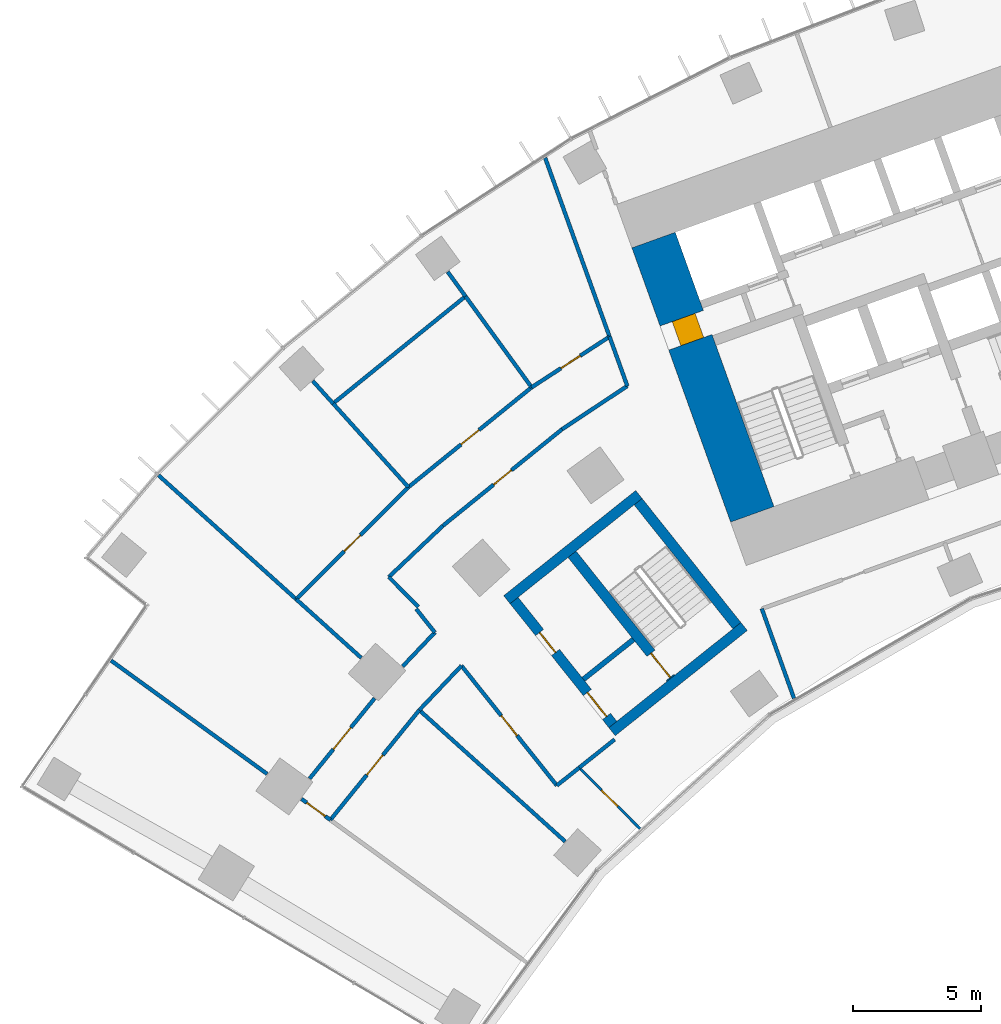
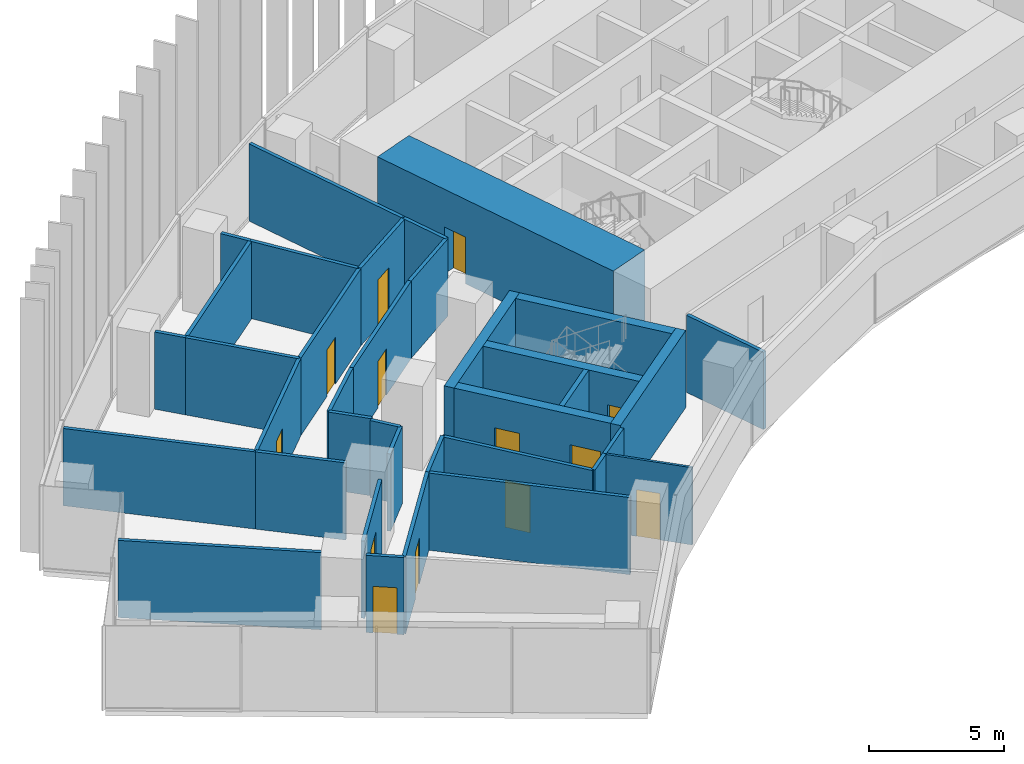
# One storey, part 18 of 25: 36 walls, 13 doors, 13 openings.
"""IFC4 building model written with IfcOpenShell, lengths in metres."""

from ifc_helpers import new_model, si_unit, direction, frame, frame_2d, origin, place, context, subcontext, project, spatial, rectangle, extrude, material, layer, layer_set, type_object, element, fill, save


model = new_model("IFC4")

# Units and contexts
model_context = context("Model", 3, precision=1e-05, world=origin(), true_north=direction((0.0, 1.0)))
body_context = subcontext(model_context, "Body", "Model", "MODEL_VIEW")
ifc_project = project(units=[si_unit("LENGTHUNIT", "METRE"), si_unit("AREAUNIT", "SQUARE_METRE"), si_unit("VOLUMEUNIT", "CUBIC_METRE"), si_unit("PLANEANGLEUNIT", "RADIAN"), si_unit("MASSUNIT", "GRAM", prefix="KILO")], contexts=[model_context])

# Site, building, storey
site_placement = place(None, origin())
site = spatial("IfcSite", under=ifc_project, at=site_placement, CompositionType="ELEMENT")
building_placement = place(site_placement, origin())
building = spatial("IfcBuilding", under=site, at=building_placement, Name="Stone Belt Terrace Tower", CompositionType="ELEMENT")
storey_placement = place(building_placement, frame((0.0, 0.0, 52.800048828125)))
storey = spatial("IfcBuildingStorey", under=building, at=storey_placement, Name="L12", CompositionType="ELEMENT", Elevation=52.800048828125)

# Wall, opening, door
ifc_material_1 = material(Name="Concrete B80", Category="concrete")
ifc_layer_1 = layer(ifc_material_1, 1.800048828125)
ifc_layer_set_1 = layer_set([ifc_layer_1], Name="Core wall 1800 B80")
wall_type_1 = type_object("IfcWallType", Name="Core wall 1800 B80", PredefinedType="SHEAR", material=ifc_layer_set_1)
wall_1_placement = place(storey_placement, frame((-26.197509765625, 42.96728515625, 0.0), z_axis=(0.0, 0.0, 1.0), x_axis=(-0.338625431531, 0.940921259788, 0.0)))
wall_1 = element("IfcWall", 1, at=wall_1_placement, inside=storey, type_object=wall_type_1, Name="Core A wall end_a L12", PredefinedType="SHEAR", context=body_context, shape_type="SweptSolid", body=[
    extrude(rectangle(XDim=11.400146484375, YDim=1.800048828125, at=frame_2d((5.7001953125, 0.0))), origin(), (0.0, 0.0, 1.0), 3.800048828125),
])
opening_1_placement = place(wall_1_placement, frame((7.150146484375, 0.0, 0.0)))
opening_1 = element("IfcOpeningElement", 2, at=opening_1_placement, cuts=wall_1, Name="Opening L12-C01", PredefinedType="OPENING", context=body_context, shape_type="SweptSolid", body=[
    extrude(rectangle(XDim=1.0, YDim=2.10009765625, at=frame_2d((0.5, 1.050048828125))), frame((0.0, 0.909912109375, 0.0), z_axis=(0.0, -1.0, 0.0), x_axis=(1.0, 0.0, 0.0)), (0.0, 0.0, 1.0), 1.820068359375),
])
ifc_material_2 = material(Name="Timber door leaf", Category="wood")
door_type_1 = type_object("IfcDoorType", Name="Core room door 1000", OperationType="SINGLE_SWING_LEFT", PredefinedType="DOOR", material=ifc_material_2)
door_1_placement = place(opening_1_placement, origin())
door_1 = element("IfcDoor", 3, at=door_1_placement, inside=storey, type_object=door_type_1, Name="Door to Telecommunications riser room core A", OperationType="SINGLE_SWING_LEFT", OverallHeight=2.10009765625, OverallWidth=1.0, PredefinedType="DOOR", context=body_context, shape_type="SweptSolid", body=[
    extrude(rectangle(XDim=1.0, YDim=2.10009765625, at=frame_2d((0.5, 1.050048828125))), frame((0.0, 0.39501953125, 0.0), z_axis=(0.0, -1.0, 0.0), x_axis=(1.0, 0.0, 0.0)), (0.0, 0.0, 1.0), 0.949951171875),
])
fill(opening_1, door_1)

ifc_material_3 = material(Name="Gypsum board partition")
ifc_layer_2 = layer(ifc_material_3, 0.10009765625)
ifc_layer_set_2 = layer_set([ifc_layer_2], Name="PARTITION 100")
wall_type_2 = type_object("IfcWallType", Name="PARTITION 100", PredefinedType="PARTITIONING", material=ifc_layer_set_2)
wall_2_placement = place(storey_placement, frame((-32.968017578125, 33.06005859375, 0.0), z_axis=(0.0, 0.0, 1.0), x_axis=(0.706309715327, -0.707902949587, 0.0)))
wall_2 = element("IfcWall", 4, at=wall_2_placement, inside=storey, type_object=wall_type_2, Name="L12/wall/i049", PredefinedType="PARTITIONING", context=body_context, shape_type="SweptSolid", body=[
    extrude(rectangle(XDim=3.37109375, YDim=0.10009765625, at=frame_2d((1.685546875, 0.0))), origin(), (0.0, 0.0, 1.0), 3.47998046875),
])
opening_2_placement = place(wall_2_placement, frame((1.235595703125, 0.0, 0.0)))
opening_2 = element("IfcOpeningElement", 5, at=opening_2_placement, cuts=wall_2, Name="Opening D-A3b-13", PredefinedType="OPENING", context=body_context, shape_type="SweptSolid", body=[
    extrude(rectangle(XDim=0.89990234375, YDim=2.10009765625, at=frame_2d((0.449951171875, 1.050048828125))), frame((0.0, 0.06005859375, 0.0), z_axis=(0.0, -1.0, 0.0), x_axis=(1.0, 0.0, 0.0)), (0.0, 0.0, 1.0), 0.1201171875),
])
door_type_2 = type_object("IfcDoorType", Name="OFFICE DOOR 900 X 2100", OperationType="NOTDEFINED", PredefinedType="DOOR", material=ifc_material_2)
door_2_placement = place(opening_2_placement, origin())
door_2 = element("IfcDoor", 6, at=door_2_placement, inside=storey, type_object=door_type_2, Name="L12/door/i13", OperationType="SINGLE_SWING_RIGHT", OverallHeight=2.10009765625, OverallWidth=0.89990234375, PredefinedType="DOOR", context=body_context, shape_type="SweptSolid", body=[
    extrude(rectangle(XDim=0.89990234375, YDim=2.10009765625, at=frame_2d((0.449951171875, 1.050048828125))), frame((0.0, 0.02490234375, 0.0), z_axis=(0.0, -1.0, 0.0), x_axis=(1.0, 0.0, 0.0)), (0.0, 0.0, 1.0), 0.050048828125),
])
fill(opening_2, door_2)

# Walls
ifc_layer_3 = layer(ifc_material_3, 0.14990234375)
ifc_layer_set_3 = layer_set([ifc_layer_3], Name="PARTITION 150 EI 60")
wall_type_3 = type_object("IfcWallType", Name="PARTITION 150 EI 60", PredefinedType="PARTITIONING", material=ifc_layer_set_3)
wall_3_placement = place(storey_placement, frame((-25.826904296875, 39.281005859375, 0.0), z_axis=(0.0, 0.0, 1.0), x_axis=(0.338392582605, -0.941005026574, 0.0)))
element("IfcWall", 7, at=wall_3_placement, inside=storey, type_object=wall_type_3, Name="L12/wall/i001", PredefinedType="PARTITIONING", context=body_context, shape_type="SweptSolid", body=[
    extrude(rectangle(XDim=3.729248046875, YDim=0.14990234375, at=frame_2d((1.86474609375, 0.0))), origin(), (0.0, 0.0, 1.0), 3.47998046875),
])
wall_4_placement = place(storey_placement, frame((-31.0830078125, 47.98193359375, 0.0), z_axis=(0.0, 0.0, 1.0), x_axis=(-0.338937449327, 0.940808910164, 0.0)))
element("IfcWall", 8, at=wall_4_placement, inside=storey, type_object=wall_type_3, Name="L12/wall/i004", PredefinedType="PARTITIONING", context=body_context, shape_type="SweptSolid", body=[
    extrude(rectangle(XDim=2.062255859375, YDim=0.14990234375, at=frame_2d((1.03125, 0.0))), origin(), (0.0, 0.0, 1.0), 3.47998046875),
])
wall_5_placement = place(storey_placement, frame((-31.778076171875, 49.909912109375, 0.0), z_axis=(0.0, 0.0, 1.0), x_axis=(-0.338711334353, 0.94089034004, 0.0)))
element("IfcWall", 9, at=wall_5_placement, inside=storey, type_object=wall_type_3, Name="L12/wall/i005", PredefinedType="PARTITIONING", context=body_context, shape_type="SweptSolid", body=[
    extrude(rectangle(XDim=7.43994140625, YDim=0.14990234375, at=frame_2d((3.719970703125, 0.0))), origin(), (0.0, 0.0, 1.0), 3.47998046875),
])

# Wall, opening, door
wall_6_placement = place(storey_placement, frame((-42.69091796875, 31.01611328125, 0.0), z_axis=(0.0, 0.0, 1.0), x_axis=(-0.809165251575, 0.587581139626, 0.0)))
wall_6 = element("IfcWall", 10, at=wall_6_placement, inside=storey, type_object=wall_type_3, Name="L12/wall/i034", PredefinedType="PARTITIONING", context=body_context, shape_type="SweptSolid", body=[
    extrude(rectangle(XDim=1.4013671875, YDim=0.14990234375, at=frame_2d((0.70068359375, 0.0))), origin(), (0.0, 0.0, 1.0), 3.47998046875),
])
opening_3_placement = place(wall_6_placement, frame((0.250732421875, 0.0, 0.0)))
opening_3 = element("IfcOpeningElement", 11, at=opening_3_placement, cuts=wall_6, Name="Opening D-A3b-11", PredefinedType="OPENING", context=body_context, shape_type="SweptSolid", body=[
    extrude(rectangle(XDim=0.89990234375, YDim=2.10009765625, at=frame_2d((0.449951171875, 1.050048828125))), frame((0.0, 0.0849609375, 0.0), z_axis=(0.0, -1.0, 0.0), x_axis=(1.0, 0.0, 0.0)), (0.0, 0.0, 1.0), 0.169921875),
])
ifc_material_4 = material(Name="Timber fire door leaf", Category="wood")
door_type_3 = type_object("IfcDoorType", Name="TENANCY ENTRANCE DOOR 900 X 2100", OperationType="NOTDEFINED", PredefinedType="DOOR", material=ifc_material_4)
door_3_placement = place(opening_3_placement, origin())
door_3 = element("IfcDoor", 12, at=door_3_placement, inside=storey, type_object=door_type_3, Name="L12/door/i11", OperationType="SINGLE_SWING_RIGHT", OverallHeight=2.10009765625, OverallWidth=0.89990234375, PredefinedType="DOOR", context=body_context, shape_type="SweptSolid", body=[
    extrude(rectangle(XDim=0.89990234375, YDim=2.10009765625, at=frame_2d((0.449951171875, 1.050048828125))), frame((0.0, 0.02490234375, 0.0), z_axis=(0.0, -1.0, 0.0), x_axis=(1.0, 0.0, 0.0)), (0.0, 0.0, 1.0), 0.050048828125),
])
fill(opening_3, door_3)

# Walls
wall_7_placement = place(storey_placement, frame((-51.27294921875, 37.251708984375, 0.0), z_axis=(0.0, 0.0, 1.0), x_axis=(0.808996210437, -0.587813857865, 0.0)))
element("IfcWall", 13, at=wall_7_placement, inside=storey, type_object=wall_type_3, Name="L12/wall/i036", PredefinedType="PARTITIONING", context=body_context, shape_type="SweptSolid", body=[
    extrude(rectangle(XDim=7.546630859375, YDim=0.14990234375, at=frame_2d((3.7734375, 0.0))), origin(), (0.0, 0.0, 1.0), 3.47998046875),
])
wall_8_placement = place(storey_placement, frame((-39.25, 39.35107421875, 0.0), z_axis=(0.0, 0.0, 1.0), x_axis=(-0.706216032574, 0.707996409126, 0.0)))
element("IfcWall", 14, at=wall_8_placement, inside=storey, type_object=wall_type_3, Name="L12/wall/i037", PredefinedType="PARTITIONING", context=body_context, shape_type="SweptSolid", body=[
    extrude(rectangle(XDim=1.6455078125, YDim=0.14990234375, at=frame_2d((0.82275390625, 0.0))), origin(), (0.0, 0.0, 1.0), 3.47998046875),
])
wall_9_placement = place(storey_placement, frame((-40.412109375, 40.51611328125, 0.0), z_axis=(0.0, 0.0, 1.0), x_axis=(0.725899989111, 0.687800265926, 0.0)))
element("IfcWall", 15, at=wall_9_placement, inside=storey, type_object=wall_type_3, Name="L12/wall/i038", PredefinedType="PARTITIONING", context=body_context, shape_type="SweptSolid", body=[
    extrude(rectangle(XDim=2.922119140625, YDim=0.14990234375, at=frame_2d((1.4609375, 0.0))), origin(), (0.0, 0.0, 1.0), 3.47998046875),
])

# Wall, opening, door
wall_10_placement = place(storey_placement, frame((-38.2900390625, 42.527099609375, 0.0), z_axis=(0.0, 0.0, 1.0), x_axis=(0.77714422733, 0.629322532513, 0.0)))
wall_10 = element("IfcWall", 16, at=wall_10_placement, inside=storey, type_object=wall_type_3, Name="L12/wall/i039", PredefinedType="PARTITIONING", context=body_context, shape_type="SweptSolid", body=[
    extrude(rectangle(XDim=5.98876953125, YDim=0.14990234375, at=frame_2d((2.994384765625, 0.0))), origin(), (0.0, 0.0, 1.0), 3.47998046875),
])
opening_4_placement = place(wall_10_placement, frame((2.54443359375, 0.0, 0.0)))
opening_4 = element("IfcOpeningElement", 17, at=opening_4_placement, cuts=wall_10, Name="Opening D-A3b-15", PredefinedType="OPENING", context=body_context, shape_type="SweptSolid", body=[
    extrude(rectangle(XDim=0.89990234375, YDim=2.10009765625, at=frame_2d((0.449951171875, 1.050048828125))), frame((0.0, 0.0849609375, 0.0), z_axis=(0.0, -1.0, 0.0), x_axis=(1.0, 0.0, 0.0)), (0.0, 0.0, 1.0), 0.169921875),
])
door_4_placement = place(opening_4_placement, origin())
door_4 = element("IfcDoor", 18, at=door_4_placement, inside=storey, type_object=door_type_2, Name="L12/door/i15", OperationType="SINGLE_SWING_RIGHT", OverallHeight=2.10009765625, OverallWidth=0.89990234375, PredefinedType="DOOR", context=body_context, shape_type="SweptSolid", body=[
    extrude(rectangle(XDim=0.89990234375, YDim=2.10009765625, at=frame_2d((0.449951171875, 1.050048828125))), frame((0.0, 0.02490234375, 0.0), z_axis=(0.0, -1.0, 0.0), x_axis=(1.0, 0.0, 0.0)), (0.0, 0.0, 1.0), 0.050048828125),
])
fill(opening_4, door_4)

# Walls
wall_11_placement = place(storey_placement, frame((-33.635986328125, 46.2958984375, 0.0), z_axis=(0.0, 0.0, 1.0), x_axis=(0.833385857539, 0.552691607005, 0.0)))
element("IfcWall", 19, at=wall_11_placement, inside=storey, type_object=wall_type_3, Name="L12/wall/i040", PredefinedType="PARTITIONING", context=body_context, shape_type="SweptSolid", body=[
    extrude(rectangle(XDim=3.059814453125, YDim=0.14990234375, at=frame_2d((1.52978515625, 0.0))), origin(), (0.0, 0.0, 1.0), 3.47998046875),
])
wall_12_placement = place(storey_placement, frame((-37.56689453125, 37.052001953125, 0.0), z_axis=(0.0, 0.0, 1.0), x_axis=(-0.688757486719, -0.724991809946, 0.0)))
element("IfcWall", 20, at=wall_12_placement, inside=storey, type_object=wall_type_3, Name="L12/wall/i041", PredefinedType="PARTITIONING", context=body_context, shape_type="SweptSolid", body=[
    extrude(rectangle(XDim=2.398681640625, YDim=0.14990234375, at=frame_2d((1.19921875, 0.0))), origin(), (0.0, 0.0, 1.0), 3.47998046875),
])

# Wall, opening, door
wall_13_placement = place(storey_placement, frame((-39.218994140625, 35.31298828125, 0.0), z_axis=(0.0, 0.0, 1.0), x_axis=(-0.629393988906, -0.777086357318, 0.0)))
wall_13 = element("IfcWall", 21, at=wall_13_placement, inside=storey, type_object=wall_type_3, Name="L12/wall/i042", PredefinedType="PARTITIONING", context=body_context, shape_type="SweptSolid", body=[
    extrude(rectangle(XDim=5.5244140625, YDim=0.14990234375, at=frame_2d((2.76220703125, 0.0))), origin(), (0.0, 0.0, 1.0), 3.47998046875),
])
opening_5_placement = place(wall_13_placement, frame((2.26220703125, 0.0, 0.0)))
opening_5 = element("IfcOpeningElement", 22, at=opening_5_placement, cuts=wall_13, Name="Opening D-A3b-14", PredefinedType="OPENING", context=body_context, shape_type="SweptSolid", body=[
    extrude(rectangle(XDim=1.0, YDim=2.10009765625, at=frame_2d((0.5, 1.050048828125))), frame((0.0, 0.0849609375, 0.0), z_axis=(0.0, -1.0, 0.0), x_axis=(1.0, 0.0, 0.0)), (0.0, 0.0, 1.0), 0.169921875),
])
door_type_4 = type_object("IfcDoorType", Name="TENANCY ENTRANCE DOOR 1000 X 2100", OperationType="NOTDEFINED", PredefinedType="DOOR", material=ifc_material_4)
door_5_placement = place(opening_5_placement, origin())
door_5 = element("IfcDoor", 23, at=door_5_placement, inside=storey, type_object=door_type_4, Name="L12/door/i14", OperationType="SINGLE_SWING_RIGHT", OverallHeight=2.10009765625, OverallWidth=1.0, PredefinedType="DOOR", context=body_context, shape_type="SweptSolid", body=[
    extrude(rectangle(XDim=1.0, YDim=2.10009765625, at=frame_2d((0.5, 1.050048828125))), frame((0.0, 0.02490234375, 0.0), z_axis=(0.0, -1.0, 0.0), x_axis=(1.0, 0.0, 0.0)), (0.0, 0.0, 1.0), 0.050048828125),
])
fill(opening_5, door_5)

# Wall
wall_14_placement = place(storey_placement, frame((-39.873779296875, 37.019287109375, 0.0), z_axis=(0.0, 0.0, 1.0), x_axis=(0.688718115667, 0.72502921124, 0.0)))
element("IfcWall", 24, at=wall_14_placement, inside=storey, type_object=wall_type_3, Name="L12/wall/i043", PredefinedType="PARTITIONING", context=body_context, shape_type="SweptSolid", body=[
    extrude(rectangle(XDim=1.84228515625, YDim=0.14990234375, at=frame_2d((0.921142578125, 0.0))), origin(), (0.0, 0.0, 1.0), 3.47998046875),
])

# Wall, opening, door
wall_15_placement = place(storey_placement, frame((-43.5078125, 32.63623046875, 0.0), z_axis=(0.0, 0.0, 1.0), x_axis=(0.629347927528, 0.777123662049, 0.0)))
wall_15 = element("IfcWall", 25, at=wall_15_placement, inside=storey, type_object=wall_type_3, Name="L12/wall/i044", PredefinedType="PARTITIONING", context=body_context, shape_type="SweptSolid", body=[
    extrude(rectangle(XDim=4.034423828125, YDim=0.14990234375, at=frame_2d((2.01708984375, 0.0))), origin(), (0.0, 0.0, 1.0), 3.47998046875),
])
opening_6_placement = place(wall_15_placement, frame((1.46728515625, 0.0, 0.0)))
opening_6 = element("IfcOpeningElement", 26, at=opening_6_placement, cuts=wall_15, Name="Opening D-A3b-19", PredefinedType="OPENING", context=body_context, shape_type="SweptSolid", body=[
    extrude(rectangle(XDim=1.10009765625, YDim=2.10009765625, at=frame_2d((0.550048828125, 1.050048828125))), frame((0.0, 0.0849609375, 0.0), z_axis=(0.0, -1.0, 0.0), x_axis=(1.0, 0.0, 0.0)), (0.0, 0.0, 1.0), 0.169921875),
])
ifc_material_5 = material(Name="Steel fire door set", Category="steel")
door_type_5 = type_object("IfcDoorType", Name="SERVICE ROOM DOOR 1100 X 2100", OperationType="NOTDEFINED", PredefinedType="DOOR", material=ifc_material_5)
door_6_placement = place(opening_6_placement, origin())
door_6 = element("IfcDoor", 27, at=door_6_placement, inside=storey, type_object=door_type_5, Name="L12/door/i19", OperationType="SINGLE_SWING_RIGHT", OverallHeight=2.10009765625, OverallWidth=1.10009765625, PredefinedType="DOOR", context=body_context, shape_type="SweptSolid", body=[
    extrude(rectangle(XDim=1.10009765625, YDim=2.10009765625, at=frame_2d((0.550048828125, 1.050048828125))), frame((0.0, 0.02490234375, 0.0), z_axis=(0.0, -1.0, 0.0), x_axis=(1.0, 0.0, 0.0)), (0.0, 0.0, 1.0), 0.050048828125),
])
fill(opening_6, door_6)

# Wall
wall_16_placement = place(storey_placement, frame((-32.962890625, 33.06298828125, 0.0), z_axis=(0.0, 0.0, 1.0), x_axis=(-0.782502176307, -0.622647849169, 0.0)))
element("IfcWall", 28, at=wall_16_placement, inside=storey, type_object=wall_type_3, Name="L12/wall/i045", PredefinedType="PARTITIONING", context=body_context, shape_type="SweptSolid", body=[
    extrude(rectangle(XDim=1.12109375, YDim=0.14990234375, at=frame_2d((0.560546875, 0.0))), origin(), (0.0, 0.0, 1.0), 3.47998046875),
])

# Wall, opening, door
wall_17_placement = place(storey_placement, frame((-33.840087890625, 32.364990234375, 0.0), z_axis=(0.0, 0.0, 1.0), x_axis=(-0.623112520353, 0.782132205563, 0.0)))
wall_17 = element("IfcWall", 29, at=wall_17_placement, inside=storey, type_object=wall_type_3, Name="L12/wall/i046", PredefinedType="PARTITIONING", context=body_context, shape_type="SweptSolid", body=[
    extrude(rectangle(XDim=5.987548828125, YDim=0.14990234375, at=frame_2d((2.99365234375, 0.0))), origin(), (0.0, 0.0, 1.0), 3.47998046875),
])
opening_7_placement = place(wall_17_placement, frame((2.493896484375, 0.0, 0.0)))
opening_7 = element("IfcOpeningElement", 30, at=opening_7_placement, cuts=wall_17, Name="Opening D-A3b-12", PredefinedType="OPENING", context=body_context, shape_type="SweptSolid", body=[
    extrude(rectangle(XDim=1.0, YDim=2.10009765625, at=frame_2d((0.5, 1.050048828125))), frame((0.0, 0.0849609375, 0.0), z_axis=(0.0, -1.0, 0.0), x_axis=(1.0, 0.0, 0.0)), (0.0, 0.0, 1.0), 0.169921875),
])
door_7_placement = place(opening_7_placement, origin())
door_7 = element("IfcDoor", 31, at=door_7_placement, inside=storey, type_object=door_type_4, Name="L12/door/i12", OperationType="SINGLE_SWING_RIGHT", OverallHeight=2.10009765625, OverallWidth=1.0, PredefinedType="DOOR", context=body_context, shape_type="SweptSolid", body=[
    extrude(rectangle(XDim=1.0, YDim=2.10009765625, at=frame_2d((0.5, 1.050048828125))), frame((0.0, 0.02490234375, 0.0), z_axis=(0.0, -1.0, 0.0), x_axis=(1.0, 0.0, 0.0)), (0.0, 0.0, 1.0), 0.050048828125),
])
fill(opening_7, door_7)

# Walls
wall_18_placement = place(storey_placement, frame((-31.5810546875, 34.1650390625, 0.0), z_axis=(0.0, 0.0, 1.0), x_axis=(-0.781845256464, -0.623472529422, 0.0)))
element("IfcWall", 32, at=wall_18_placement, inside=storey, type_object=wall_type_3, Name="L12/wall/i047", PredefinedType="PARTITIONING", context=body_context, shape_type="SweptSolid", body=[
    extrude(rectangle(XDim=1.779052734375, YDim=0.14990234375, at=frame_2d((0.8896484375, 0.0))), origin(), (0.0, 0.0, 1.0), 3.47998046875),
])
wall_19_placement = place(storey_placement, frame((-38.60888671875, 38.35009765625, 0.0), z_axis=(0.0, 0.0, 1.0), x_axis=(-0.623044650104, 0.782186271917, 0.0)))
element("IfcWall", 33, at=wall_19_placement, inside=storey, type_object=wall_type_3, Name="L12/wall/i048", PredefinedType="PARTITIONING", context=body_context, shape_type="SweptSolid", body=[
    extrude(rectangle(XDim=1.173583984375, YDim=0.14990234375, at=frame_2d((0.5869140625, 0.0))), origin(), (0.0, 0.0, 1.0), 3.47998046875),
])
wall_20_placement = place(storey_placement, frame((-33.515869140625, 30.177734375, 0.0), z_axis=(0.0, 0.0, 1.0), x_axis=(-0.743135942629, 0.669140471629, 0.0)))
element("IfcWall", 34, at=wall_20_placement, inside=storey, type_object=wall_type_3, Name="L12/wall/i050", PredefinedType="PARTITIONING", context=body_context, shape_type="SweptSolid", body=[
    extrude(rectangle(XDim=7.67431640625, YDim=0.14990234375, at=frame_2d((3.837158203125, 0.0))), origin(), (0.0, 0.0, 1.0), 3.47998046875),
])

# Wall, opening, door
wall_21_placement = place(storey_placement, frame((-44.030029296875, 39.64599609375, 0.0), z_axis=(0.0, 0.0, 1.0), x_axis=(0.707106781187, 0.707106781187, 0.0)))
wall_21 = element("IfcWall", 35, at=wall_21_placement, inside=storey, type_object=wall_type_3, Name="L12/wall/i051", PredefinedType="PARTITIONING", context=body_context, shape_type="SweptSolid", body=[
    extrude(rectangle(XDim=6.201416015625, YDim=0.14990234375, at=frame_2d((3.1005859375, 0.0))), origin(), (0.0, 0.0, 1.0), 3.47998046875),
])
opening_8_placement = place(wall_21_placement, frame((2.650634765625, 0.0, 0.0)))
opening_8 = element("IfcOpeningElement", 36, at=opening_8_placement, cuts=wall_21, Name="Opening D-A3b-16", PredefinedType="OPENING", context=body_context, shape_type="SweptSolid", body=[
    extrude(rectangle(XDim=0.89990234375, YDim=2.10009765625, at=frame_2d((0.449951171875, 1.050048828125))), frame((0.0, 0.0849609375, 0.0), z_axis=(0.0, -1.0, 0.0), x_axis=(1.0, 0.0, 0.0)), (0.0, 0.0, 1.0), 0.169921875),
])
door_8_placement = place(opening_8_placement, origin())
door_8 = element("IfcDoor", 37, at=door_8_placement, inside=storey, type_object=door_type_2, Name="L12/door/i16", OperationType="SINGLE_SWING_RIGHT", OverallHeight=2.10009765625, OverallWidth=0.89990234375, PredefinedType="DOOR", context=body_context, shape_type="SweptSolid", body=[
    extrude(rectangle(XDim=0.89990234375, YDim=2.10009765625, at=frame_2d((0.449951171875, 1.050048828125))), frame((0.0, 0.02490234375, 0.0), z_axis=(0.0, -1.0, 0.0), x_axis=(1.0, 0.0, 0.0)), (0.0, 0.0, 1.0), 0.050048828125),
])
fill(opening_8, door_8)

wall_22_placement = place(storey_placement, frame((-39.64404296875, 44.031982421875, 0.0), z_axis=(0.0, 0.0, 1.0), x_axis=(0.777109136124, 0.629365863829, 0.0)))
wall_22 = element("IfcWall", 38, at=wall_22_placement, inside=storey, type_object=wall_type_3, Name="L12/wall/i052", PredefinedType="PARTITIONING", context=body_context, shape_type="SweptSolid", body=[
    extrude(rectangle(XDim=6.199951171875, YDim=0.14990234375, at=frame_2d((3.10009765625, 0.0))), origin(), (0.0, 0.0, 1.0), 3.47998046875),
])
opening_9_placement = place(wall_22_placement, frame((2.64990234375, 0.0, 0.0)))
opening_9 = element("IfcOpeningElement", 39, at=opening_9_placement, cuts=wall_22, Name="Opening D-A3b-17", PredefinedType="OPENING", context=body_context, shape_type="SweptSolid", body=[
    extrude(rectangle(XDim=0.89990234375, YDim=2.10009765625, at=frame_2d((0.449951171875, 1.050048828125))), frame((0.0, 0.0849609375, 0.0), z_axis=(0.0, -1.0, 0.0), x_axis=(1.0, 0.0, 0.0)), (0.0, 0.0, 1.0), 0.169921875),
])
door_9_placement = place(opening_9_placement, origin())
door_9 = element("IfcDoor", 40, at=door_9_placement, inside=storey, type_object=door_type_2, Name="L12/door/i17", OperationType="SINGLE_SWING_RIGHT", OverallHeight=2.10009765625, OverallWidth=0.89990234375, PredefinedType="DOOR", context=body_context, shape_type="SweptSolid", body=[
    extrude(rectangle(XDim=0.89990234375, YDim=2.10009765625, at=frame_2d((0.449951171875, 1.050048828125))), frame((0.0, 0.02490234375, 0.0), z_axis=(0.0, -1.0, 0.0), x_axis=(1.0, 0.0, 0.0)), (0.0, 0.0, 1.0), 0.050048828125),
])
fill(opening_9, door_9)

wall_23_placement = place(storey_placement, frame((-34.825927734375, 47.93408203125, 0.0), z_axis=(0.0, 0.0, 1.0), x_axis=(0.838179507416, 0.545394456653, 0.0)))
wall_23 = element("IfcWall", 41, at=wall_23_placement, inside=storey, type_object=wall_type_3, Name="L12/wall/i053", PredefinedType="PARTITIONING", context=body_context, shape_type="SweptSolid", body=[
    extrude(rectangle(XDim=3.634033203125, YDim=0.14990234375, at=frame_2d((1.81689453125, 0.0))), origin(), (0.0, 0.0, 1.0), 3.47998046875),
])
opening_10_placement = place(wall_23_placement, frame((1.366943359375, 0.0, 0.0)))
opening_10 = element("IfcOpeningElement", 42, at=opening_10_placement, cuts=wall_23, Name="Opening D-A3b-18", PredefinedType="OPENING", context=body_context, shape_type="SweptSolid", body=[
    extrude(rectangle(XDim=0.89990234375, YDim=2.10009765625, at=frame_2d((0.449951171875, 1.050048828125))), frame((0.0, 0.0849609375, 0.0), z_axis=(0.0, -1.0, 0.0), x_axis=(1.0, 0.0, 0.0)), (0.0, 0.0, 1.0), 0.169921875),
])
door_10_placement = place(opening_10_placement, origin())
door_10 = element("IfcDoor", 43, at=door_10_placement, inside=storey, type_object=door_type_2, Name="L12/door/i18", OperationType="SINGLE_SWING_RIGHT", OverallHeight=2.10009765625, OverallWidth=0.89990234375, PredefinedType="DOOR", context=body_context, shape_type="SweptSolid", body=[
    extrude(rectangle(XDim=0.89990234375, YDim=2.10009765625, at=frame_2d((0.449951171875, 1.050048828125))), frame((0.0, 0.02490234375, 0.0), z_axis=(0.0, -1.0, 0.0), x_axis=(1.0, 0.0, 0.0)), (0.0, 0.0, 1.0), 0.050048828125),
])
fill(opening_10, door_10)

# Walls
wall_24_placement = place(storey_placement, frame((-41.489990234375, 37.357421875, 0.0), z_axis=(0.0, 0.0, 1.0), x_axis=(-0.742924764927, 0.669374927569, 0.0)))
element("IfcWall", 44, at=wall_24_placement, inside=storey, type_object=wall_type_3, Name="L12/wall/i054", PredefinedType="PARTITIONING", context=body_context, shape_type="SweptSolid", body=[
    extrude(rectangle(XDim=3.4189453125, YDim=0.14990234375, at=frame_2d((1.70947265625, 0.0))), origin(), (0.0, 0.0, 1.0), 3.47998046875),
])
wall_25_placement = place(storey_placement, frame((-42.593017578125, 47.304931640625, 0.0), z_axis=(0.0, 0.0, 1.0), x_axis=(0.669148410698, -0.743128793992, 0.0)))
element("IfcWall", 45, at=wall_25_placement, inside=storey, type_object=wall_type_3, Name="L12/wall/i055", PredefinedType="PARTITIONING", context=body_context, shape_type="SweptSolid", body=[
    extrude(rectangle(XDim=4.405517578125, YDim=0.14990234375, at=frame_2d((2.20263671875, 0.0))), origin(), (0.0, 0.0, 1.0), 3.47998046875),
])
wall_26_placement = place(storey_placement, frame((-43.382080078125, 48.18115234375, 0.0), z_axis=(0.0, 0.0, 1.0), x_axis=(0.669145878726, -0.743131073892, 0.0)))
element("IfcWall", 46, at=wall_26_placement, inside=storey, type_object=wall_type_3, Name="L12/wall/i056", PredefinedType="PARTITIONING", context=body_context, shape_type="SweptSolid", body=[
    extrude(rectangle(XDim=1.191162109375, YDim=0.14990234375, at=frame_2d((0.595703125, 0.0))), origin(), (0.0, 0.0, 1.0), 3.47998046875),
])
wall_27_placement = place(storey_placement, frame((-44.030029296875, 39.64599609375, 0.0), z_axis=(0.0, 0.0, 1.0), x_axis=(-0.74319367285, 0.669076351874, 0.0)))
element("IfcWall", 47, at=wall_27_placement, inside=storey, type_object=wall_type_3, Name="L12/wall/i057", PredefinedType="PARTITIONING", context=body_context, shape_type="SweptSolid", body=[
    extrude(rectangle(XDim=7.25, YDim=0.14990234375, at=frame_2d((3.625, 0.0))), origin(), (0.0, 0.0, 1.0), 3.47998046875),
])
wall_28_placement = place(storey_placement, frame((-42.589111328125, 47.301025390625, 0.0), z_axis=(0.0, 0.0, 1.0), x_axis=(0.777172317777, 0.629287842312, 0.0)))
element("IfcWall", 48, at=wall_28_placement, inside=storey, type_object=wall_type_3, Name="L12/wall/i058", PredefinedType="PARTITIONING", context=body_context, shape_type="SweptSolid", body=[
    extrude(rectangle(XDim=6.661376953125, YDim=0.14990234375, at=frame_2d((3.33056640625, 0.0))), origin(), (0.0, 0.0, 1.0), 3.47998046875),
])
wall_29_placement = place(storey_placement, frame((-37.412109375, 51.492919921875, 0.0), z_axis=(0.0, 0.0, 1.0), x_axis=(0.58786477972, -0.808959208344, 0.0)))
element("IfcWall", 49, at=wall_29_placement, inside=storey, type_object=wall_type_3, Name="L12/wall/i059", PredefinedType="PARTITIONING", context=body_context, shape_type="SweptSolid", body=[
    extrude(rectangle(XDim=4.399169921875, YDim=0.14990234375, at=frame_2d((2.19970703125, 0.0))), origin(), (0.0, 0.0, 1.0), 3.47998046875),
])
wall_30_placement = place(storey_placement, frame((-38.1083984375, 52.45166015625, 0.0), z_axis=(0.0, 0.0, 1.0), x_axis=(0.587632515929, -0.809127941813, 0.0)))
element("IfcWall", 50, at=wall_30_placement, inside=storey, type_object=wall_type_3, Name="L12/wall/i060", PredefinedType="PARTITIONING", context=body_context, shape_type="SweptSolid", body=[
    extrude(rectangle(XDim=1.184814453125, YDim=0.14990234375, at=frame_2d((0.59228515625, 0.0))), origin(), (0.0, 0.0, 1.0), 3.47998046875),
])
ifc_material_6 = material(Name="Concrete masonry block", Category="masonry")
ifc_layer_4 = layer(ifc_material_6, 0.199951171875)
ifc_layer_set_4 = layer_set([ifc_layer_4], Name="Rated lobby wall 200")
wall_type_4 = type_object("IfcWallType", Name="Rated lobby wall 200", PredefinedType="PARTITIONING", material=ifc_layer_set_4)
wall_31_placement = place(storey_placement, frame((-30.845703125, 38.074951171875, 0.0), z_axis=(0.0, 0.0, 1.0), x_axis=(-0.782115323833, -0.623133709749, 0.0)))
element("IfcWall", 51, at=wall_31_placement, inside=storey, type_object=wall_type_4, Name="Exit stair ST3A wall", PredefinedType="PARTITIONING", context=body_context, shape_type="SweptSolid", body=[
    extrude(rectangle(XDim=2.5, YDim=0.199951171875, at=frame_2d((1.25, 0.0))), origin(), (0.0, 0.0, 1.0), 3.47998046875),
])
ifc_layer_5 = layer(ifc_material_1, 0.39990234375)
ifc_layer_set_5 = layer_set([ifc_layer_5], Name="Stair enclosure wall 400")
wall_type_5 = type_object("IfcWallType", Name="Stair enclosure wall 400", PredefinedType="SHEAR", material=ifc_layer_set_5)
for number, where, z_axis, x_axis, name in (
    (52, (-26.518798828125, 38.58154296875, 0.0), (0.0, 0.0, 1.0), (-0.782133914161, -0.623110375711, 0.0), "Exit stair ST3A wall"),
    (53, (-30.63134765625, 43.74365234375, 0.0), (0.0, 0.0, 1.0), (-0.782133914161, -0.623110375711, 0.0), "Exit stair ST3A wall"),
):
    element("IfcWall", number, at=place(storey_placement, frame(where, z_axis=z_axis, x_axis=x_axis)), inside=storey, type_object=wall_type_5, Name=name, PredefinedType="SHEAR", context=body_context, shape_type="SweptSolid", body=[
        extrude(rectangle(XDim=6.60009765625, YDim=0.39990234375, at=frame_2d((3.300048828125, 0.0))), origin(), (0.0, 0.0, 1.0), 3.47998046875),
    ])
wall_32_placement = place(storey_placement, frame((-26.7998046875, 38.61328125, 0.0), z_axis=(0.0, 0.0, 1.0), x_axis=(-0.623118653668, 0.782127319208, 0.0)))
element("IfcWall", 54, at=wall_32_placement, inside=storey, type_object=wall_type_5, Name="Exit stair ST3A wall", PredefinedType="SHEAR", context=body_context, shape_type="SweptSolid", body=[
    extrude(rectangle(XDim=6.199951171875, YDim=0.39990234375, at=frame_2d((3.10009765625, 0.0))), origin(), (0.0, 0.0, 1.0), 3.47998046875),
])

# Wall, openings, doors
wall_33_placement = place(storey_placement, frame((-31.64892578125, 34.75, 0.0), z_axis=(0.0, 0.0, 1.0), x_axis=(-0.623118653668, 0.782127319208, 0.0)))
wall_33 = element("IfcWall", 55, at=wall_33_placement, inside=storey, type_object=wall_type_5, Name="Exit stair ST3A wall", PredefinedType="SHEAR", context=body_context, shape_type="SweptSolid", body=[
    extrude(rectangle(XDim=6.199951171875, YDim=0.39990234375, at=frame_2d((3.10009765625, 0.0))), origin(), (0.0, 0.0, 1.0), 3.47998046875),
])
opening_11_placement = place(wall_33_placement, frame((0.39990234375, 0.0, 0.0)))
opening_11 = element("IfcOpeningElement", 56, at=opening_11_placement, cuts=wall_33, Name="Opening L12-C24", PredefinedType="OPENING", context=body_context, shape_type="SweptSolid", body=[
    extrude(rectangle(XDim=1.199951171875, YDim=2.10009765625, at=frame_2d((0.60009765625, 1.050048828125))), frame((0.0, 0.2099609375, 0.0), z_axis=(0.0, -1.0, 0.0), x_axis=(1.0, 0.0, 0.0)), (0.0, 0.0, 1.0), 0.419921875),
])
opening_12_placement = place(wall_33_placement, frame((3.60009765625, 0.0, 0.0)))
opening_12 = element("IfcOpeningElement", 57, at=opening_12_placement, cuts=wall_33, Name="Opening L12-C25", PredefinedType="OPENING", context=body_context, shape_type="SweptSolid", body=[
    extrude(rectangle(XDim=1.0, YDim=2.10009765625, at=frame_2d((0.5, 1.050048828125))), frame((0.0, 0.2099609375, 0.0), z_axis=(0.0, -1.0, 0.0), x_axis=(1.0, 0.0, 0.0)), (0.0, 0.0, 1.0), 0.419921875),
])
door_11_placement = place(opening_12_placement, origin())
door_11 = element("IfcDoor", 58, at=door_11_placement, inside=storey, type_object=door_type_1, Name="Door to stair pressurisation plant room ST3A", OperationType="SINGLE_SWING_LEFT", OverallHeight=2.10009765625, OverallWidth=1.0, PredefinedType="DOOR", context=body_context, shape_type="SweptSolid", body=[
    extrude(rectangle(XDim=1.0, YDim=2.10009765625, at=frame_2d((0.5, 1.050048828125))), frame((0.0, 0.02490234375, 0.0), z_axis=(0.0, -1.0, 0.0), x_axis=(1.0, 0.0, 0.0)), (0.0, 0.0, 1.0), 0.050048828125),
])
fill(opening_12, door_11)
ifc_material_7 = material(Name="Steel door leaf", Category="steel")
door_type_6 = type_object("IfcDoorType", Name="Stair airlock door 1200", OperationType="SINGLE_SWING_LEFT", PredefinedType="DOOR", material=ifc_material_7)
door_12_placement = place(opening_11_placement, origin())
door_12 = element("IfcDoor", 59, at=door_12_placement, inside=storey, type_object=door_type_6, Name="Stair airlock door ST3A", OperationType="SINGLE_SWING_LEFT", OverallHeight=2.10009765625, OverallWidth=1.199951171875, PredefinedType="DOOR", context=body_context, shape_type="SweptSolid", body=[
    extrude(rectangle(XDim=1.199951171875, YDim=2.10009765625, at=frame_2d((0.60009765625, 1.050048828125))), frame((0.0, 0.02490234375, 0.0), z_axis=(0.0, -1.0, 0.0), x_axis=(1.0, 0.0, 0.0)), (0.0, 0.0, 1.0), 0.050048828125),
])
fill(opening_11, door_12)

# Wall, opening, door
wall_34_placement = place(storey_placement, frame((-29.380859375, 36.556884765625, 0.0), z_axis=(0.0, 0.0, 1.0), x_axis=(-0.623099462847, 0.782142608097, 0.0)))
wall_34 = element("IfcWall", 60, at=wall_34_placement, inside=storey, type_object=wall_type_5, Name="Exit stair ST3A wall", PredefinedType="SHEAR", context=body_context, shape_type="SweptSolid", body=[
    extrude(rectangle(XDim=6.2001953125, YDim=0.39990234375, at=frame_2d((3.10009765625, 0.0))), origin(), (0.0, 0.0, 1.0), 3.47998046875),
])
opening_13_placement = place(wall_34_placement, frame((0.050048828125, 0.0, 0.0)))
opening_13 = element("IfcOpeningElement", 61, at=opening_13_placement, cuts=wall_34, Name="Opening L12-C23", PredefinedType="OPENING", context=body_context, shape_type="SweptSolid", body=[
    extrude(rectangle(XDim=1.199951171875, YDim=2.10009765625, at=frame_2d((0.60009765625, 1.050048828125))), frame((0.0, 0.2099609375, 0.0), z_axis=(0.0, -1.0, 0.0), x_axis=(1.0, 0.0, 0.0)), (0.0, 0.0, 1.0), 0.419921875),
])
door_type_7 = type_object("IfcDoorType", Name="Stair door 1200", OperationType="SINGLE_SWING_LEFT", PredefinedType="DOOR", material=ifc_material_7)
door_13_placement = place(opening_13_placement, origin())
door_13 = element("IfcDoor", 62, at=door_13_placement, inside=storey, type_object=door_type_7, Name="Stair door ST3A", OperationType="SINGLE_SWING_RIGHT", OverallHeight=2.10009765625, OverallWidth=1.199951171875, PredefinedType="DOOR", context=body_context, shape_type="SweptSolid", body=[
    extrude(rectangle(XDim=1.199951171875, YDim=2.10009765625, at=frame_2d((0.60009765625, 1.050048828125))), frame((0.0, 0.02490234375, 0.0), z_axis=(0.0, -1.0, 0.0), x_axis=(1.0, 0.0, 0.0)), (0.0, 0.0, 1.0), 0.050048828125),
])
fill(opening_13, door_13)

save(model, "model.ifc")
